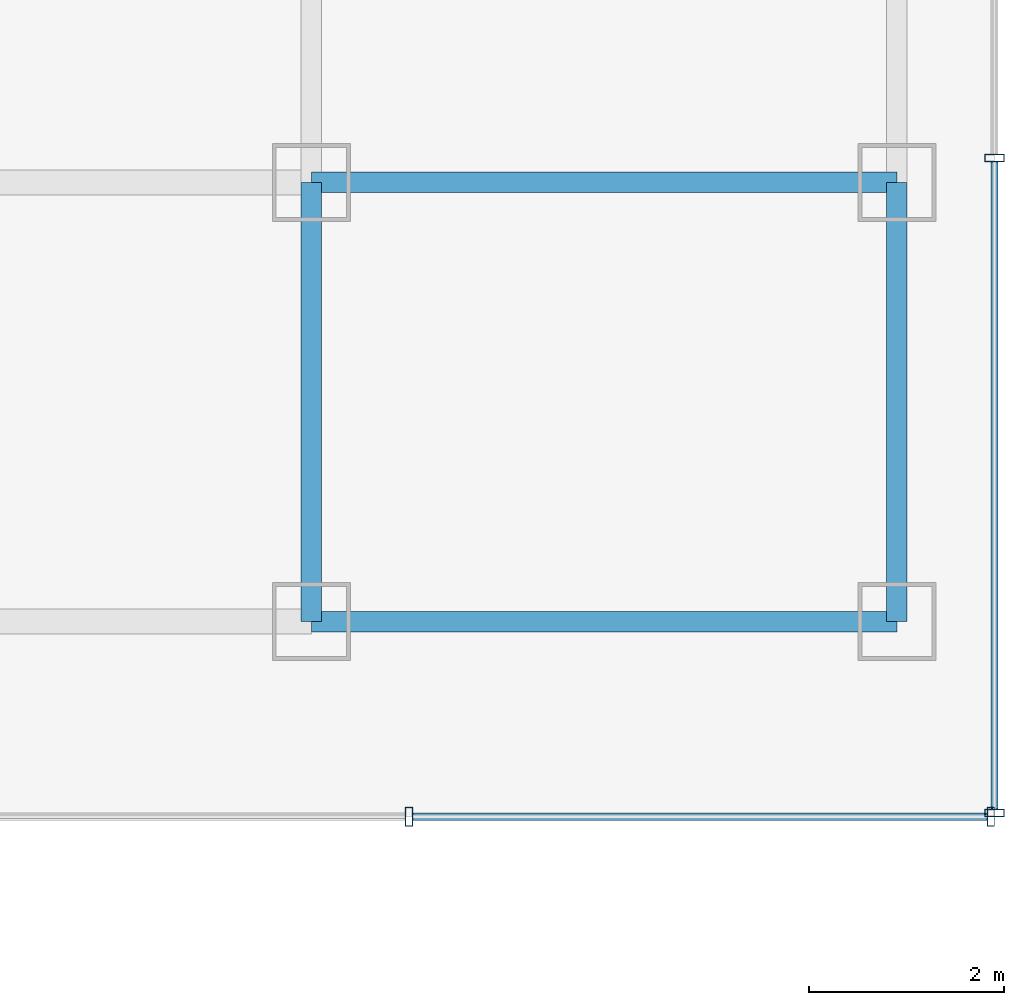
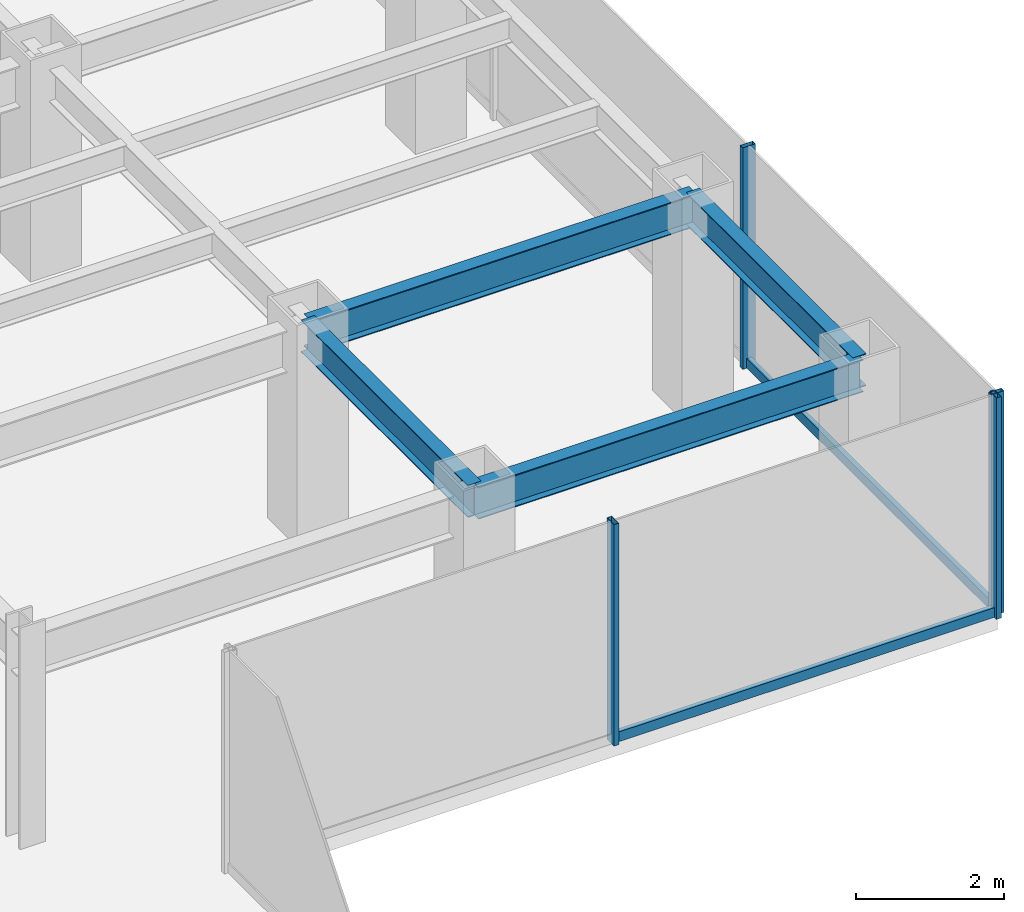
# One storey, part 10 of 26: 6 members, 4 beams, 2 elements without a shape of their own.
"""IFC4 building model written with IfcOpenShell, lengths in metres."""

from ifc_helpers import new_model, si_unit, derived_unit, direction, frame, origin, origin_2d, place, context, subcontext, project, spatial, hollow_rectangle, i_section, extrude, source, transform, mapped, material, material_profile, profile_set, type_object, element, aggregate, save


model = new_model("IFC4")

# Units and contexts
model_context = context("Model", 3, precision=1e-05, world=origin(), true_north=direction((0.0, 1.0)))
body_context = subcontext(model_context, "Body", "Model", "MODEL_VIEW")
ifc_project = project(units=[si_unit("LENGTHUNIT", "METRE"), si_unit("AREAUNIT", "SQUARE_METRE"), si_unit("VOLUMEUNIT", "CUBIC_METRE"), si_unit("PLANEANGLEUNIT", "RADIAN"), si_unit("MASSUNIT", "GRAM", prefix="KILO"), derived_unit("THERMALTRANSMITTANCEUNIT", [(si_unit("POWERUNIT", "WATT"), 1), (si_unit("LENGTHUNIT", "METRE"), -2), (si_unit("THERMODYNAMICTEMPERATUREUNIT", "KELVIN"), -1)])], contexts=[model_context])

# Site, building, storey
site_placement = place(None, origin())
site = spatial("IfcSite", under=ifc_project, at=site_placement, CompositionType="ELEMENT")
building_placement = place(site_placement, origin())
building = spatial("IfcBuilding", under=site, at=building_placement, Name="Skarnbrae Concourse Arena and Tower", CompositionType="ELEMENT")
storey_placement = place(building_placement, frame((0.0, 0.0, 110.550048828125)))
storey = spatial("IfcBuildingStorey", under=building, at=storey_placement, Name="L27", CompositionType="ELEMENT", Elevation=110.550048828125)

# Beams
ifc_material_1 = material(Name="Steel CSA G40.21 350W", Category="steel")
ifc_material_profile_1 = material_profile(ifc_material_1, i_section(OverallWidth=0.208984375, OverallDepth=0.532958984375, WebThickness=0.01025390625, FlangeThickness=0.015625, at=origin_2d()), Name="W530X92")
ifc_profile_set_1 = profile_set([ifc_material_profile_1], Name="Steel CSA G40.21 350W")
beam_type = type_object("IfcBeamType", Name="BM-SPAN-W530X92", PredefinedType="SPANDREL", material=ifc_profile_set_1)
shared_shape_1 = source(origin(), body_context, "Body", "SweptSolid", [
    extrude(i_section(OverallWidth=0.208984375, OverallDepth=0.532958984375, WebThickness=0.01025390625, FlangeThickness=0.015625, at=origin_2d()), origin(), (0.0, 0.0, 1.0), 6.0),
])
for number, where, z_axis, x_axis, name in (
    (1, (49.0, 9.5, 3.133544921875), (1.0, 0.0, 0.0), (0.0, 1.0, 0.0), "L27 Perimeter spandrel Y9.5-3"),
    (2, (49.0, 14.0, 3.133544921875), (1.0, 0.0, 0.0), (0.0, 1.0, 0.0), "L27 Perimeter spandrel Y14.0-8"),
):
    element("IfcBeam", number, at=place(storey_placement, frame(where, z_axis=z_axis, x_axis=x_axis)), inside=storey, type_object=beam_type, Name=name, PredefinedType="SPANDREL", context=body_context, shape_type="MappedRepresentation", body=[
        mapped(shared_shape_1, transform((0.0, 0.0, 0.0))),
    ])
shared_shape_2 = source(origin(), body_context, "Body", "SweptSolid", [
    extrude(i_section(OverallWidth=0.208984375, OverallDepth=0.532958984375, WebThickness=0.01025390625, FlangeThickness=0.015625, at=origin_2d()), origin(), (0.0, 0.0, 1.0), 4.5),
])
for number, where, z_axis, x_axis, name in (
    (3, (49.0, 9.5, 3.133544921875), (0.0, 1.0, 0.0), (-1.0, 0.0, 0.0), "L27 Perimeter spandrel X49.0-1"),
    (4, (55.0, 9.5, 3.133544921875), (0.0, 1.0, 0.0), (-1.0, 0.0, 0.0), "L27 Perimeter spandrel X55.0-1"),
):
    element("IfcBeam", number, at=place(storey_placement, frame(where, z_axis=z_axis, x_axis=x_axis)), inside=storey, type_object=beam_type, Name=name, PredefinedType="SPANDREL", context=body_context, shape_type="MappedRepresentation", body=[
        mapped(shared_shape_2, transform((0.0, 0.0, 0.0))),
    ])

# Curtain wall, members
ifc_material_2 = material(Name="Bronze anodised aluminium 6063-T6", Category="aluminium")
curtain_wall_type = type_object("IfcCurtainWallType", Name="CW-SYS-04-MIDZONE", PredefinedType="USERDEFINED", material=ifc_material_2)
curtain_wall_1_placement = place(storey_placement, origin())
curtain_wall_1 = element("IfcCurtainWall", 5, at=curtain_wall_1_placement, inside=storey, type_object=curtain_wall_type, Name="L27 Unitised curtain wall CW-L27-E03", ObjectType="UNITISED CURTAIN WALL", PredefinedType="USERDEFINED")
ifc_material_profile_2 = material_profile(ifc_material_2, hollow_rectangle(XDim=0.074951171875, YDim=0.159912109375, WallThickness=0.00439453125, at=origin_2d()), Name="ALU-TRAN-75X160")
ifc_profile_set_2 = profile_set([ifc_material_profile_2], Name="Bronze anodised aluminium 6063-T6")
member_type_1 = type_object("IfcMemberType", Name="CWT-CW-04", PredefinedType="USERDEFINED", material=ifc_profile_set_2)
shared_shape_3 = source(origin(), body_context, "Body", "SweptSolid", [
    extrude(hollow_rectangle(XDim=0.074951171875, YDim=0.159912109375, WallThickness=0.00439453125, at=origin_2d()), origin(), (0.0, 0.0, 1.0), 5.887451171875),
])
member_1_placement = place(storey_placement, frame((50.03759765625, 7.5, 0.079833984375), z_axis=(1.0, 0.0, 0.0), x_axis=(0.0, 1.0, 0.0)))
member_1 = element("IfcMember", 6, at=member_1_placement, type_object=member_type_1, Name="CW-L27-E03 Transom 2", ObjectType="TRANSOM", PredefinedType="USERDEFINED", context=body_context, shape_type="MappedRepresentation", body=[
    mapped(shared_shape_3, transform((0.0, 0.0, 0.0))),
])
ifc_material_profile_3 = material_profile(ifc_material_2, hollow_rectangle(XDim=0.074951171875, YDim=0.195068359375, WallThickness=0.00439453125, at=origin_2d()), Name="ALU-MULL-75X195")
ifc_profile_set_3 = profile_set([ifc_material_profile_3], Name="Bronze anodised aluminium 6063-T6")
member_type_2 = type_object("IfcMemberType", Name="CWM-CW-04", PredefinedType="MULLION", material=ifc_profile_set_3)
shared_shape_4 = source(origin(), body_context, "Body", "SweptSolid", [
    extrude(hollow_rectangle(XDim=0.074951171875, YDim=0.195068359375, WallThickness=0.00439453125, at=origin_2d()), origin(), (0.0, 0.0, 1.0), 3.64990234375),
])
member_2_placement = place(storey_placement, frame((50.0, 7.5, 0.0), z_axis=(0.0, 0.0, 1.0), x_axis=(1.0, 0.0, 0.0)))
member_2 = element("IfcMember", 7, at=member_2_placement, type_object=member_type_2, Name="CW-L27-E03 Mullion 2", PredefinedType="MULLION", context=body_context, shape_type="MappedRepresentation", body=[
    mapped(shared_shape_4, transform((0.0, 0.0, 0.0))),
])
member_3_placement = place(storey_placement, frame((55.96240234375, 7.5, 0.0), z_axis=(0.0, 0.0, 1.0), x_axis=(1.0, 0.0, 0.0)))
member_3 = element("IfcMember", 8, at=member_3_placement, type_object=member_type_2, Name="CW-L27-E03 Mullion 3", PredefinedType="MULLION", context=body_context, shape_type="MappedRepresentation", body=[
    mapped(shared_shape_4, transform((0.0, 0.0, 0.0))),
])
aggregate(curtain_wall_1, [member_2, member_3, member_1])

curtain_wall_2_placement = place(storey_placement, origin())
curtain_wall_2 = element("IfcCurtainWall", 9, at=curtain_wall_2_placement, inside=storey, type_object=curtain_wall_type, Name="L27 Unitised curtain wall CW-L27-E04", ObjectType="UNITISED CURTAIN WALL", PredefinedType="USERDEFINED")
member_4_placement = place(storey_placement, frame((56.0, 7.53759765625, 0.0), z_axis=(0.0, 0.0, 1.0), x_axis=(0.0, 1.0, 0.0)))
member_4 = element("IfcMember", 10, at=member_4_placement, type_object=member_type_2, Name="CW-L27-E04 Mullion 1", PredefinedType="MULLION", context=body_context, shape_type="MappedRepresentation", body=[
    mapped(shared_shape_4, transform((0.0, 0.0, 0.0))),
])
member_5_placement = place(storey_placement, frame((56.0, 14.25, 0.0), z_axis=(0.0, 0.0, 1.0), x_axis=(0.0, 1.0, 0.0)))
member_5 = element("IfcMember", 11, at=member_5_placement, type_object=member_type_2, Name="CW-L27-E04 Mullion 2", PredefinedType="MULLION", context=body_context, shape_type="MappedRepresentation", body=[
    mapped(shared_shape_4, transform((0.0, 0.0, 0.0))),
])
shared_shape_5 = source(origin(), body_context, "Body", "SweptSolid", [
    extrude(hollow_rectangle(XDim=0.074951171875, YDim=0.159912109375, WallThickness=0.00439453125, at=origin_2d()), origin(), (0.0, 0.0, 1.0), 6.637451171875),
])
member_6_placement = place(storey_placement, frame((56.0, 7.574951171875, 0.079833984375), z_axis=(0.0, 1.0, 0.0), x_axis=(-1.0, 0.0, 0.0)))
member_6 = element("IfcMember", 12, at=member_6_placement, type_object=member_type_1, Name="CW-L27-E04 Transom 1", ObjectType="TRANSOM", PredefinedType="USERDEFINED", context=body_context, shape_type="MappedRepresentation", body=[
    mapped(shared_shape_5, transform((0.0, 0.0, 0.0))),
])
aggregate(curtain_wall_2, [member_4, member_5, member_6])

save(model, "model.ifc")
